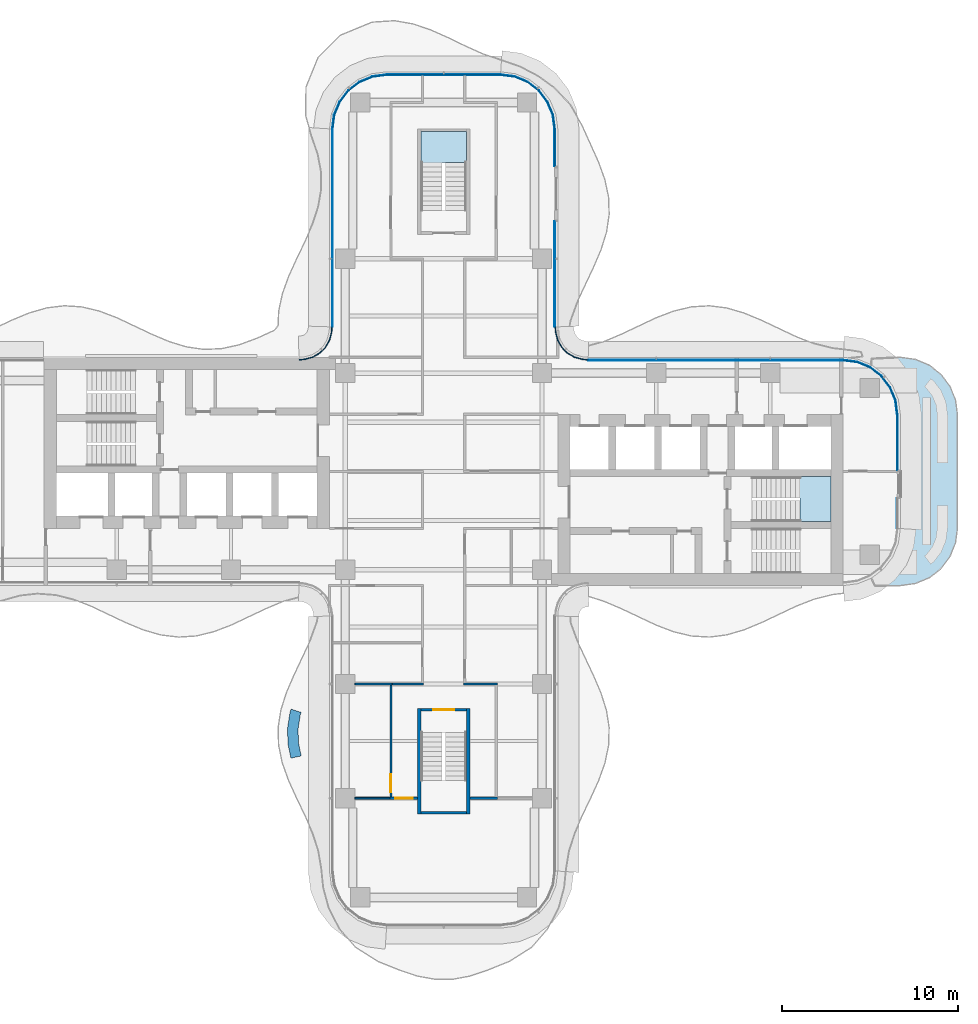
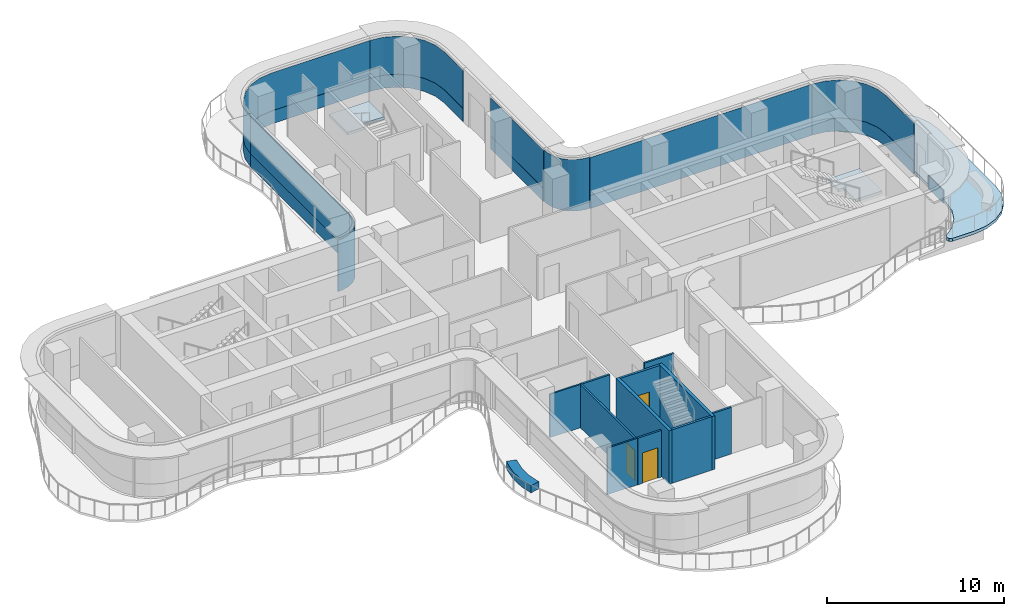
# One storey, part 11 of 17: 15 plates, 12 walls, 3 doors, 3 slabs, 3 openings, 11 elements without a shape of their own.
"""IFC4 building model written with IfcOpenShell, lengths in metres."""

from ifc_helpers import new_model, si_unit, direction, frame, frame_2d, origin, place, context, subcontext, project, spatial, polyline, rectangle, outline, extrude, source, transform, mapped, material, layer, layer_set, type_object, element, fill, aggregate, save


model = new_model("IFC4")

# Units and contexts
model_context = context("Model", 3, precision=1e-05, world=origin(), true_north=direction((0.0, 1.0)))
body_context = subcontext(model_context, "Body", "Model", "MODEL_VIEW")
ifc_project = project(units=[si_unit("LENGTHUNIT", "METRE"), si_unit("AREAUNIT", "SQUARE_METRE"), si_unit("VOLUMEUNIT", "CUBIC_METRE"), si_unit("PLANEANGLEUNIT", "RADIAN"), si_unit("MASSUNIT", "GRAM", prefix="KILO")], contexts=[model_context])

# Site, building, storey
site_placement = place(None, origin())
site = spatial("IfcSite", under=ifc_project, at=site_placement, CompositionType="ELEMENT")
building_placement = place(site_placement, origin())
building = spatial("IfcBuilding", under=site, at=building_placement, Name="Trellis Farm Tower", CompositionType="ELEMENT")
storey_placement = place(building_placement, frame((0.0, 0.0, 220.699951171875)))
storey = spatial("IfcBuildingStorey", under=building, at=storey_placement, Name="L48", CompositionType="ELEMENT", Elevation=220.699951171875)

# Curtain wall, plate
ifc_material_1 = material(Name="Aluminium and glass curtain wall", Category="aluminium")
ifc_layer_1 = layer(ifc_material_1, 0.18994140625)
ifc_layer_set_1 = layer_set([ifc_layer_1], Name="RIBBON CURTAIN WALL CW1")
curtain_wall_type_1 = type_object("IfcCurtainWallType", Name="RIBBON CURTAIN WALL CW1", PredefinedType="NOTDEFINED", material=ifc_layer_set_1)
placement_1 = place(storey_placement, origin())
curtain_wall_1 = element("IfcCurtainWall", 1, at=placement_1, inside=storey, type_object=curtain_wall_type_1, Name="CW1 007", PredefinedType="NOTDEFINED")
ifc_material_2 = material(Name="Clear insulated glass", Category="glass")
ifc_layer_2 = layer(ifc_material_2, 0.0400390625)
ifc_layer_set_2 = layer_set([ifc_layer_2], Name="CW1 GLASS PANEL 40")
plate_type_1 = type_object("IfcPlateType", Name="CW1 GLASS PANEL 40", PredefinedType="CURTAIN_PANEL", material=ifc_layer_set_2)
placement_2 = place(storey_placement, frame((0.0, 0.0, 0.900146484375)))
plate_1 = element("IfcPlate", 2, at=placement_2, type_object=plate_type_1, Name="PL1 007", PredefinedType="CURTAIN_PANEL", context=body_context, shape_type="SweptSolid", body=[
    extrude(outline(polyline([(25.85009765625, 0.080078125), (25.85009765625, 3.240234375), (25.7431640625, 4.052001953125), (25.43359375, 4.79931640625), (24.941162109375, 5.441162109375), (24.29931640625, 5.93359375), (23.552001953125, 6.2431640625), (22.740234375, 6.35009765625), (22.737548828125, 6.31005859375), (23.54150390625, 6.2041015625), (24.279296875, 5.898681640625), (24.91259765625, 5.41259765625), (25.398681640625, 4.779296875), (25.7041015625, 4.04150390625), (25.81005859375, 3.237548828125), (25.81005859375, 0.080078125), (25.85009765625, 0.080078125)])), origin(), (0.0, 0.0, 1.0), 2.619873046875),
])

curtain_wall_2 = element("IfcCurtainWall", 3, at=placement_1, inside=storey, type_object=curtain_wall_type_1, Name="CW1 006", PredefinedType="NOTDEFINED")
ifc_material_3 = material(Name="Sandstone faced insulated panel", Category="masonry")
ifc_layer_3 = layer(ifc_material_3, 0.050048828125)
ifc_layer_set_3 = layer_set([ifc_layer_3], Name="CW1 STONE SPANDREL PANEL 50")
plate_type_2 = type_object("IfcPlateType", Name="CW1 STONE SPANDREL PANEL 50", PredefinedType="CURTAIN_PANEL", material=ifc_layer_set_3)
plate_2 = element("IfcPlate", 4, at=placement_1, type_object=plate_type_2, Name="PS1 006", PredefinedType="CURTAIN_PANEL", context=body_context, shape_type="SweptSolid", body=[
    extrude(outline(polyline([(25.85009765625, -3.240234375), (25.85009765625, -1.5400390625), (25.800048828125, -1.5400390625), (25.800048828125, -3.23681640625), (25.85009765625, -3.240234375)])), origin(), (0.0, 0.0, 1.0), 0.900146484375),
])
aggregate(curtain_wall_2, [plate_2])

# Plate
plate_3 = element("IfcPlate", 5, at=placement_1, type_object=plate_type_2, Name="PS1 007", PredefinedType="CURTAIN_PANEL", context=body_context, shape_type="SweptSolid", body=[
    extrude(outline(polyline([(25.85009765625, 0.080078125), (25.85009765625, 3.240234375), (25.7431640625, 4.052001953125), (25.43359375, 4.79931640625), (24.941162109375, 5.441162109375), (24.29931640625, 5.93359375), (23.552001953125, 6.2431640625), (22.740234375, 6.35009765625), (22.73681640625, 6.300048828125), (23.5390625, 6.1943359375), (24.274169921875, 5.889892578125), (24.905517578125, 5.405517578125), (25.389892578125, 4.774169921875), (25.6943359375, 4.0390625), (25.800048828125, 3.23681640625), (25.800048828125, 0.080078125), (25.85009765625, 0.080078125)])), origin(), (0.0, 0.0, 1.0), 0.900146484375),
])

aggregate(curtain_wall_1, [plate_1, plate_3])

# Slab
ifc_material_4 = material(Name="Concrete C40/50", Category="concrete")
ifc_layer_4 = layer(ifc_material_4, 0.199951171875)
ifc_layer_set_4 = layer_set([ifc_layer_4], Name="Terrace slab on composite deck 200")
slab_type_1 = type_object("IfcSlabType", Name="Terrace slab on composite deck 200", PredefinedType="FLOOR", material=ifc_layer_set_4)
slab_1_placement = place(storey_placement, frame((0.0, 0.0, -0.199951171875)))
element("IfcSlab", 6, at=slab_1_placement, inside=storey, type_object=slab_type_1, Name="Terrace slab", PredefinedType="FLOOR", context=body_context, shape_type="SweptSolid", body=[
    extrude(outline(polyline([(24.294921875, -6.228271484375), (24.39111328125, -6.052978515625), (25.048583984375, -5.548583984375), (25.565185546875, -4.875244140625), (25.889892578125, -4.09130859375), (26.00048828125, -3.25), (26.00048828125, 3.25), (25.889892578125, 4.09130859375), (25.565185546875, 4.875244140625), (25.048583984375, 5.548583984375), (24.39111328125, 6.052978515625), (24.294921875, 6.228271484375), (24.359619140625, 6.4189453125), (24.5439453125, 6.5), (25.983642578125, 6.5), (26.01611328125, 6.497802734375), (26.80859375, 6.3935546875), (26.87158203125, 6.376708984375), (27.594482421875, 6.0771484375), (27.651123046875, 6.04443359375), (28.27197265625, 5.568115234375), (28.318115234375, 5.52197265625), (28.79443359375, 4.901123046875), (28.8271484375, 4.844482421875), (29.126708984375, 4.12158203125), (29.1435546875, 4.05859375), (29.247802734375, 3.26611328125), (29.25, 3.233642578125), (29.25, -3.233642578125), (29.247802734375, -3.26611328125), (29.1435546875, -4.05859375), (29.126708984375, -4.12158203125), (28.8271484375, -4.844482421875), (28.79443359375, -4.901123046875), (28.318115234375, -5.52197265625), (28.27197265625, -5.568115234375), (27.651123046875, -6.04443359375), (27.594482421875, -6.0771484375), (26.87158203125, -6.376708984375), (26.80859375, -6.3935546875), (26.01611328125, -6.497802734375), (25.983642578125, -6.5), (24.5439453125, -6.5), (24.359619140625, -6.4189453125), (24.294921875, -6.228271484375)])), origin(), (0.0, 0.0, 1.0), 0.199951171875),
])

# Stair, slab
ifc_material_5 = material(Name="Concrete C50/60", Category="concrete")
stair_type = type_object("IfcStairType", Name="CORE EXIT STAIR 22 RISERS 177 MM", PredefinedType="HALF_TURN_STAIR", material=ifc_material_5)
stair_1 = element("IfcStair", 7, at=placement_1, inside=storey, type_object=stair_type, Name="Exit stair N", PredefinedType="HALF_TURN_STAIR")
ifc_layer_5 = layer(ifc_material_5, 0.18994140625)
ifc_layer_set_5 = layer_set([ifc_layer_5], Name="CORE STAIR LANDING 190 CONCRETE C50/60")
slab_type_2 = type_object("IfcSlabType", Name="CORE STAIR LANDING 190 CONCRETE C50/60", PredefinedType="LANDING", material=ifc_layer_set_5)
shared_shape_1 = source(origin(), body_context, "Body", "SweptSolid", [
    extrude(outline(polyline([(-0.10009765625, 17.27197265625), (-1.300048828125, 17.27197265625), (-1.300048828125, 17.60009765625), (-1.300048828125, 19.35009765625), (1.300048828125, 19.35009765625), (1.300048828125, 17.60009765625), (1.300048828125, 17.590087890625), (0.10009765625, 17.590087890625), (0.10009765625, 17.60009765625), (-0.10009765625, 17.60009765625), (-0.10009765625, 17.27197265625)])), origin(), (0.0, 0.0, 1.0), 0.18994140625),
])
placement_3 = place(storey_placement, frame((0.0, 0.0, 1.760009765625)))
slab_2 = element("IfcSlab", 8, at=placement_3, type_object=slab_type_2, Name="STN landing 1", PredefinedType="LANDING", context=body_context, shape_type="MappedRepresentation", body=[
    mapped(shared_shape_1, transform((0.0, 0.0, 0.0))),
])
aggregate(stair_1, [slab_2])

stair_2 = element("IfcStair", 9, at=placement_1, inside=storey, type_object=stair_type, Name="Exit stair E2", PredefinedType="HALF_TURN_STAIR")
shared_shape_2 = source(origin(), body_context, "Body", "SweptSolid", [
    extrude(outline(polyline([(20.2900390625, -2.85009765625), (20.2900390625, -1.64990234375), (20.300048828125, -1.64990234375), (20.300048828125, -1.5), (19.971923828125, -1.5), (19.971923828125, -0.300048828125), (20.300048828125, -0.300048828125), (22.050048828125, -0.300048828125), (22.050048828125, -2.85009765625), (20.300048828125, -2.85009765625), (20.2900390625, -2.85009765625)])), origin(), (0.0, 0.0, 1.0), 0.18994140625),
])
slab_3 = element("IfcSlab", 10, at=placement_3, type_object=slab_type_2, Name="STE2 landing 1", PredefinedType="LANDING", context=body_context, shape_type="MappedRepresentation", body=[
    mapped(shared_shape_2, transform((0.0, 0.0, 0.0))),
])
aggregate(stair_2, [slab_3])

# Curtain wall, plate
ifc_layer_6 = layer(ifc_material_1, 0.166015625)
ifc_layer_set_6 = layer_set([ifc_layer_6], Name="WINTER GARDEN CURTAIN WALL CW3")
curtain_wall_type_2 = type_object("IfcCurtainWallType", Name="WINTER GARDEN CURTAIN WALL CW3", PredefinedType="NOTDEFINED", material=ifc_layer_set_6)
curtain_wall_3 = element("IfcCurtainWall", 11, at=placement_1, inside=storey, type_object=curtain_wall_type_2, Name="CW3 003", PredefinedType="NOTDEFINED")
ifc_layer_7 = layer(ifc_material_2, 0.0458984375)
ifc_layer_set_7 = layer_set([ifc_layer_7], Name="CW3 GLASS PANEL 46")
plate_type_3 = type_object("IfcPlateType", Name="CW3 GLASS PANEL 46", PredefinedType="CURTAIN_PANEL", material=ifc_layer_set_7)
shared_shape_3 = source(origin(), body_context, "Body", "SweptSolid", [
    extrude(outline(polyline([(8.2275390625, 6.3798828125), (8.0078125, 6.394287109375), (7.89208984375, 6.40966796875), (7.462158203125, 6.52490234375), (7.070556640625, 6.7509765625), (6.7509765625, 7.070556640625), (6.52490234375, 7.462158203125), (6.40966796875, 7.89208984375), (6.394287109375, 8.0078125), (6.3798828125, 8.2275390625), (6.333984375, 8.22607421875), (6.3486328125, 8.003173828125), (6.364501953125, 7.883056640625), (6.48193359375, 7.4443359375), (6.714111328125, 7.04248046875), (7.04248046875, 6.714111328125), (7.4443359375, 6.48193359375), (7.883056640625, 6.364501953125), (8.003173828125, 6.3486328125), (8.22607421875, 6.333984375), (8.2275390625, 6.3798828125)])), origin(), (0.0, 0.0, 1.0), 3.550048828125),
])
plate_4 = element("IfcPlate", 12, at=placement_1, type_object=plate_type_3, Name="PL3 003", PredefinedType="CURTAIN_PANEL", context=body_context, shape_type="MappedRepresentation", body=[
    mapped(shared_shape_3, transform((0.0, 0.0, 0.0))),
])
aggregate(curtain_wall_3, [plate_4])

curtain_wall_4 = element("IfcCurtainWall", 13, at=placement_1, inside=storey, type_object=curtain_wall_type_2, Name="CW3 004", PredefinedType="NOTDEFINED")
shared_shape_4 = source(origin(), body_context, "Body", "SweptSolid", [
    extrude(outline(polyline([(-6.3798828125, 8.2275390625), (-6.394287109375, 8.0078125), (-6.40966796875, 7.89208984375), (-6.52490234375, 7.462158203125), (-6.7509765625, 7.070556640625), (-7.070556640625, 6.7509765625), (-7.462158203125, 6.52490234375), (-7.89208984375, 6.40966796875), (-8.0078125, 6.394287109375), (-8.2275390625, 6.3798828125), (-8.22607421875, 6.333984375), (-8.003173828125, 6.3486328125), (-7.883056640625, 6.364501953125), (-7.4443359375, 6.48193359375), (-7.04248046875, 6.714111328125), (-6.714111328125, 7.04248046875), (-6.48193359375, 7.4443359375), (-6.364501953125, 7.883056640625), (-6.3486328125, 8.003173828125), (-6.333984375, 8.22607421875), (-6.3798828125, 8.2275390625)])), origin(), (0.0, 0.0, 1.0), 3.550048828125),
])
plate_5 = element("IfcPlate", 14, at=placement_1, type_object=plate_type_3, Name="PL3 004", PredefinedType="CURTAIN_PANEL", context=body_context, shape_type="MappedRepresentation", body=[
    mapped(shared_shape_4, transform((0.0, 0.0, 0.0))),
])
aggregate(curtain_wall_4, [plate_5])

# Curtain wall, plates
curtain_wall_5 = element("IfcCurtainWall", 15, at=placement_1, inside=storey, type_object=curtain_wall_type_1, Name="CW1 012", PredefinedType="NOTDEFINED")
shared_shape_5 = source(origin(), body_context, "Body", "SweptSolid", [
    extrude(outline(polyline([(-6.35009765625, 19.490234375), (-6.35009765625, 8.2265625), (-6.31005859375, 8.22509765625), (-6.31005859375, 19.487548828125), (-6.35009765625, 19.490234375)])), origin(), (0.0, 0.0, 1.0), 2.619873046875),
])
plate_6 = element("IfcPlate", 16, at=placement_2, type_object=plate_type_1, Name="PL1 012", PredefinedType="CURTAIN_PANEL", context=body_context, shape_type="MappedRepresentation", body=[
    mapped(shared_shape_5, transform((0.0, 0.0, 0.0))),
])
shared_shape_6 = source(origin(), body_context, "Body", "SweptSolid", [
    extrude(outline(polyline([(-6.35009765625, 19.490234375), (-6.35009765625, 8.2265625), (-6.300048828125, 8.224853515625), (-6.300048828125, 19.48681640625), (-6.35009765625, 19.490234375)])), origin(), (0.0, 0.0, 1.0), 0.900146484375),
])
plate_7 = element("IfcPlate", 17, at=placement_1, type_object=plate_type_2, Name="PS1 012", PredefinedType="CURTAIN_PANEL", context=body_context, shape_type="MappedRepresentation", body=[
    mapped(shared_shape_6, transform((0.0, 0.0, 0.0))),
])
aggregate(curtain_wall_5, [plate_6, plate_7])

curtain_wall_6 = element("IfcCurtainWall", 18, at=placement_1, inside=storey, type_object=curtain_wall_type_1, Name="CW1 011", PredefinedType="NOTDEFINED")
shared_shape_7 = source(origin(), body_context, "Body", "SweptSolid", [
    extrude(outline(polyline([(3.240234375, 22.60009765625), (-3.240234375, 22.60009765625), (-4.052001953125, 22.4931640625), (-4.79931640625, 22.18359375), (-5.441162109375, 21.691162109375), (-5.93359375, 21.04931640625), (-6.2431640625, 20.302001953125), (-6.35009765625, 19.490234375), (-6.31005859375, 19.487548828125), (-6.2041015625, 20.29150390625), (-5.898681640625, 21.029296875), (-5.41259765625, 21.66259765625), (-4.779296875, 22.148681640625), (-4.04150390625, 22.4541015625), (-3.237548828125, 22.56005859375), (3.237548828125, 22.56005859375), (3.240234375, 22.60009765625)])), origin(), (0.0, 0.0, 1.0), 2.619873046875),
])
plate_8 = element("IfcPlate", 19, at=placement_2, type_object=plate_type_1, Name="PL1 011", PredefinedType="CURTAIN_PANEL", context=body_context, shape_type="MappedRepresentation", body=[
    mapped(shared_shape_7, transform((0.0, 0.0, 0.0))),
])
shared_shape_8 = source(origin(), body_context, "Body", "SweptSolid", [
    extrude(outline(polyline([(3.240234375, 22.60009765625), (-3.240234375, 22.60009765625), (-4.052001953125, 22.4931640625), (-4.79931640625, 22.18359375), (-5.441162109375, 21.691162109375), (-5.93359375, 21.04931640625), (-6.2431640625, 20.302001953125), (-6.35009765625, 19.490234375), (-6.300048828125, 19.48681640625), (-6.1943359375, 20.2890625), (-5.889892578125, 21.024169921875), (-5.405517578125, 21.655517578125), (-4.774169921875, 22.139892578125), (-4.0390625, 22.4443359375), (-3.23681640625, 22.550048828125), (3.23681640625, 22.550048828125), (3.240234375, 22.60009765625)])), origin(), (0.0, 0.0, 1.0), 0.900146484375),
])
plate_9 = element("IfcPlate", 20, at=placement_1, type_object=plate_type_2, Name="PS1 011", PredefinedType="CURTAIN_PANEL", context=body_context, shape_type="MappedRepresentation", body=[
    mapped(shared_shape_8, transform((0.0, 0.0, 0.0))),
])
aggregate(curtain_wall_6, [plate_8, plate_9])

curtain_wall_7 = element("IfcCurtainWall", 21, at=placement_1, inside=storey, type_object=curtain_wall_type_1, Name="CW1 008", PredefinedType="NOTDEFINED")
shared_shape_9 = source(origin(), body_context, "Body", "SweptSolid", [
    extrude(outline(polyline([(22.740234375, 6.35009765625), (8.2265625, 6.35009765625), (8.22509765625, 6.31005859375), (22.737548828125, 6.31005859375), (22.740234375, 6.35009765625)])), origin(), (0.0, 0.0, 1.0), 2.619873046875),
])
plate_10 = element("IfcPlate", 22, at=placement_2, type_object=plate_type_1, Name="PL1 008", PredefinedType="CURTAIN_PANEL", context=body_context, shape_type="MappedRepresentation", body=[
    mapped(shared_shape_9, transform((0.0, 0.0, 0.0))),
])
shared_shape_10 = source(origin(), body_context, "Body", "SweptSolid", [
    extrude(outline(polyline([(22.740234375, 6.35009765625), (8.2265625, 6.35009765625), (8.224853515625, 6.300048828125), (22.73681640625, 6.300048828125), (22.740234375, 6.35009765625)])), origin(), (0.0, 0.0, 1.0), 0.900146484375),
])
plate_11 = element("IfcPlate", 23, at=placement_1, type_object=plate_type_2, Name="PS1 008", PredefinedType="CURTAIN_PANEL", context=body_context, shape_type="MappedRepresentation", body=[
    mapped(shared_shape_10, transform((0.0, 0.0, 0.0))),
])
aggregate(curtain_wall_7, [plate_10, plate_11])

curtain_wall_8 = element("IfcCurtainWall", 24, at=placement_1, inside=storey, type_object=curtain_wall_type_1, Name="CW1 009", PredefinedType="NOTDEFINED")
shared_shape_11 = source(origin(), body_context, "Body", "SweptSolid", [
    extrude(outline(polyline([(6.35009765625, 8.2265625), (6.35009765625, 14.239990234375), (6.31005859375, 14.239990234375), (6.31005859375, 8.22509765625), (6.35009765625, 8.2265625)])), origin(), (0.0, 0.0, 1.0), 2.619873046875),
])
plate_12 = element("IfcPlate", 25, at=placement_2, type_object=plate_type_1, Name="PL1 009", PredefinedType="CURTAIN_PANEL", context=body_context, shape_type="MappedRepresentation", body=[
    mapped(shared_shape_11, transform((0.0, 0.0, 0.0))),
])
shared_shape_12 = source(origin(), body_context, "Body", "SweptSolid", [
    extrude(outline(polyline([(6.35009765625, 8.2265625), (6.35009765625, 14.239990234375), (6.300048828125, 14.239990234375), (6.300048828125, 8.224853515625), (6.35009765625, 8.2265625)])), origin(), (0.0, 0.0, 1.0), 0.900146484375),
])
plate_13 = element("IfcPlate", 26, at=placement_1, type_object=plate_type_2, Name="PS1 009", PredefinedType="CURTAIN_PANEL", context=body_context, shape_type="MappedRepresentation", body=[
    mapped(shared_shape_12, transform((0.0, 0.0, 0.0))),
])
aggregate(curtain_wall_8, [plate_12, plate_13])

curtain_wall_9 = element("IfcCurtainWall", 27, at=placement_1, inside=storey, type_object=curtain_wall_type_1, Name="CW1 010", PredefinedType="NOTDEFINED")
shared_shape_13 = source(origin(), body_context, "Body", "SweptSolid", [
    extrude(outline(polyline([(6.35009765625, 17.360107421875), (6.35009765625, 19.490234375), (6.2431640625, 20.302001953125), (5.93359375, 21.04931640625), (5.441162109375, 21.691162109375), (4.79931640625, 22.18359375), (4.052001953125, 22.4931640625), (3.240234375, 22.60009765625), (3.237548828125, 22.56005859375), (4.04150390625, 22.4541015625), (4.779296875, 22.148681640625), (5.41259765625, 21.66259765625), (5.898681640625, 21.029296875), (6.2041015625, 20.29150390625), (6.31005859375, 19.487548828125), (6.31005859375, 17.360107421875), (6.35009765625, 17.360107421875)])), origin(), (0.0, 0.0, 1.0), 2.619873046875),
])
plate_14 = element("IfcPlate", 28, at=placement_2, type_object=plate_type_1, Name="PL1 010", PredefinedType="CURTAIN_PANEL", context=body_context, shape_type="MappedRepresentation", body=[
    mapped(shared_shape_13, transform((0.0, 0.0, 0.0))),
])
shared_shape_14 = source(origin(), body_context, "Body", "SweptSolid", [
    extrude(outline(polyline([(6.35009765625, 17.360107421875), (6.35009765625, 19.490234375), (6.2431640625, 20.302001953125), (5.93359375, 21.04931640625), (5.441162109375, 21.691162109375), (4.79931640625, 22.18359375), (4.052001953125, 22.4931640625), (3.240234375, 22.60009765625), (3.23681640625, 22.550048828125), (4.0390625, 22.4443359375), (4.774169921875, 22.139892578125), (5.405517578125, 21.655517578125), (5.889892578125, 21.024169921875), (6.1943359375, 20.2890625), (6.300048828125, 19.48681640625), (6.300048828125, 17.360107421875), (6.35009765625, 17.360107421875)])), origin(), (0.0, 0.0, 1.0), 0.900146484375),
])
plate_15 = element("IfcPlate", 29, at=placement_1, type_object=plate_type_2, Name="PS1 010", PredefinedType="CURTAIN_PANEL", context=body_context, shape_type="MappedRepresentation", body=[
    mapped(shared_shape_14, transform((0.0, 0.0, 0.0))),
])
aggregate(curtain_wall_9, [plate_14, plate_15])

# Walls
ifc_material_6 = material(Name="Sandstone faced masonry planter", Category="masonry")
ifc_layer_8 = layer(ifc_material_6, 0.60009765625)
ifc_layer_set_8 = layer_set([ifc_layer_8], Name="PLANTER BED 600")
wall_type_1 = type_object("IfcWallType", Name="PLANTER BED 600", PredefinedType="USERDEFINED", material=ifc_layer_set_8)
element("IfcWall", 30, at=placement_1, inside=storey, type_object=wall_type_1, Name="PLANTER bed", ObjectType="PLANTER", PredefinedType="USERDEFINED", context=body_context, shape_type="SweptSolid", body=[
    extrude(outline(polyline([(-8.885986328125, -14.6240234375), (-8.744873046875, -13.71923828125), (-8.68603515625, -13.533447265625), (-8.114013671875, -13.714599609375), (-8.1591796875, -13.85693359375), (-8.28466796875, -14.662109375), (-8.26220703125, -15.453857421875), (-8.106201171875, -16.19970703125), (-8.693603515625, -16.322265625), (-8.8603515625, -15.524169921875), (-8.885986328125, -14.6240234375)])), origin(), (0.0, 0.0, 1.0), 0.5),
])
ifc_material_7 = material(Name="Concrete C60/75", Category="concrete")
ifc_layer_9 = layer(ifc_material_7, 0.199951171875)
ifc_layer_set_9 = layer_set([ifc_layer_9], Name="CORE STAIR ENCLOSURE WALL 200 CONCRETE C60/75")
wall_type_2 = type_object("IfcWallType", Name="CORE STAIR ENCLOSURE WALL 200 CONCRETE C60/75", PredefinedType="SHEAR", material=ifc_layer_set_9)
shared_shape_15 = source(origin(), body_context, "Body", "SweptSolid", [
    extrude(rectangle(XDim=6.0, YDim=0.199951171875, at=frame_2d((3.0, 0.0))), origin(), (0.0, 0.0, 1.0), 3.699951171875),
])
for number, where, z_axis, x_axis, name in (
    (31, (1.39990234375, -13.5, 0.0), (0.0, 0.0, 1.0), (0.0, -1.0, 0.0), "Stair enclosure wall"),
    (32, (-1.39990234375, -13.5, 0.0), (0.0, 0.0, 1.0), (0.0, -1.0, 0.0), "Stair enclosure wall"),
):
    element("IfcWall", number, at=place(storey_placement, frame(where, z_axis=z_axis, x_axis=x_axis)), inside=storey, type_object=wall_type_2, Name=name, PredefinedType="SHEAR", context=body_context, shape_type="MappedRepresentation", body=[
        mapped(shared_shape_15, transform((0.0, 0.0, 0.0))),
    ])

# Wall, opening, door
ifc_layer_10 = layer(ifc_material_7, 0.14990234375)
ifc_layer_set_10 = layer_set([ifc_layer_10], Name="CORE STAIR ENCLOSURE WALL 150 CONCRETE C60/75")
wall_type_3 = type_object("IfcWallType", Name="CORE STAIR ENCLOSURE WALL 150 CONCRETE C60/75", PredefinedType="SHEAR", material=ifc_layer_set_10)
shared_shape_16 = source(origin(), body_context, "Body", "SweptSolid", [
    extrude(rectangle(XDim=2.60009765625, YDim=0.14990234375, at=frame_2d((1.300048828125, 0.0))), origin(), (0.0, 0.0, 1.0), 3.699951171875),
])
wall_2_placement = place(storey_placement, frame((1.300048828125, -13.574951171875, 0.0), z_axis=(0.0, 0.0, 1.0), x_axis=(-1.0, 0.0, 0.0)))
wall_2 = element("IfcWall", 33, at=wall_2_placement, inside=storey, type_object=wall_type_3, Name="Stair enclosure wall", PredefinedType="SHEAR", context=body_context, shape_type="MappedRepresentation", body=[
    mapped(shared_shape_16, transform((0.0, 0.0, 0.0))),
])
shared_shape_17 = source(origin(), body_context, "Body", "SweptSolid", [
    extrude(rectangle(XDim=1.199951171875, YDim=2.10009765625, at=frame_2d((0.60009765625, 1.050048828125))), frame((0.0, 0.0849609375, 0.0), z_axis=(0.0, -1.0, 0.0), x_axis=(1.0, 0.0, 0.0)), (0.0, 0.0, 1.0), 0.169921875),
])
opening_1_placement = place(wall_2_placement, frame((0.699951171875, 0.0, 0.0)))
opening_1 = element("IfcOpeningElement", 34, at=opening_1_placement, cuts=wall_2, Name="Opening DC174", PredefinedType="OPENING", context=body_context, shape_type="MappedRepresentation", body=[
    mapped(shared_shape_17, transform((0.0, 0.0, 0.0))),
])
ifc_material_8 = material(Name="Steel", Category="steel")
door_type_1 = type_object("IfcDoorType", Name="CORE FIRE DOOR 1200 X 2100", OperationType="NOTDEFINED", PredefinedType="DOOR", material=ifc_material_8)
shared_shape_18 = source(origin(), body_context, "Body", "SweptSolid", [
    extrude(rectangle(XDim=1.199951171875, YDim=2.10009765625, at=frame_2d((0.60009765625, 1.050048828125))), frame((0.0, 0.02490234375, 0.0), z_axis=(0.0, -1.0, 0.0), x_axis=(1.0, 0.0, 0.0)), (0.0, 0.0, 1.0), 0.050048828125),
])
door_1_placement = place(opening_1_placement, origin())
door_1 = element("IfcDoor", 35, at=door_1_placement, inside=storey, type_object=door_type_1, Name="Core door", OperationType="SINGLE_SWING_RIGHT", OverallHeight=2.10009765625, OverallWidth=1.199951171875, PredefinedType="DOOR", context=body_context, shape_type="MappedRepresentation", body=[
    mapped(shared_shape_18, transform((0.0, 0.0, 0.0))),
])
fill(opening_1, door_1)

# Wall
wall_3_placement = place(storey_placement, frame((1.300048828125, -19.425048828125, 0.0), z_axis=(0.0, 0.0, 1.0), x_axis=(-1.0, 0.0, 0.0)))
element("IfcWall", 36, at=wall_3_placement, inside=storey, type_object=wall_type_3, Name="Stair enclosure wall", PredefinedType="SHEAR", context=body_context, shape_type="MappedRepresentation", body=[
    mapped(shared_shape_16, transform((0.0, 0.0, 0.0))),
])

# Wall, opening, door
ifc_material_9 = material(Name="Plasterboard on steel studs, mineral wool", Category="steel")
ifc_layer_11 = layer(ifc_material_9, 0.125)
ifc_layer_set_11 = layer_set([ifc_layer_11], Name="PARTITION 125 STUD EI 60")
wall_type_4 = type_object("IfcWallType", Name="PARTITION 125 STUD EI 60", PredefinedType="PARTITIONING", material=ifc_layer_set_11)
shared_shape_19 = source(origin(), body_context, "Body", "SweptSolid", [
    extrude(rectangle(XDim=6.400146484375, YDim=0.125, at=frame_2d((3.2001953125, 0.0))), origin(), (0.0, 0.0, 1.0), 2.99658203125),
])
wall_4_placement = place(storey_placement, frame((-3.0, -18.550048828125, 0.0), z_axis=(0.0, 0.0, 1.0), x_axis=(0.0, 1.0, 0.0)))
wall_4 = element("IfcWall", 37, at=wall_4_placement, inside=storey, type_object=wall_type_4, Name="Partition PW1", PredefinedType="PARTITIONING", context=body_context, shape_type="MappedRepresentation", body=[
    mapped(shared_shape_19, transform((0.0, 0.0, 0.0))),
])
shared_shape_20 = source(origin(), body_context, "Body", "SweptSolid", [
    extrude(rectangle(XDim=1.0, YDim=2.10009765625, at=frame_2d((0.5, 1.050048828125))), frame((0.0, 0.072509765625, 0.0), z_axis=(0.0, -1.0, 0.0), x_axis=(1.0, 0.0, 0.0)), (0.0, 0.0, 1.0), 0.14501953125),
])
opening_2_placement = place(wall_4_placement, frame((0.300048828125, 0.0, 0.0)))
opening_2 = element("IfcOpeningElement", 38, at=opening_2_placement, cuts=wall_4, Name="Opening D102", PredefinedType="OPENING", context=body_context, shape_type="MappedRepresentation", body=[
    mapped(shared_shape_20, transform((0.0, 0.0, 0.0))),
])
ifc_material_10 = material(Name="Fire-rated timber door leaf in a hollow metal frame", Category="wood")
door_type_2 = type_object("IfcDoorType", Name="DOOR 1000x2100 FD30S", OperationType="NOTDEFINED", PredefinedType="DOOR", material=ifc_material_10)
shared_shape_21 = source(origin(), body_context, "Body", "SweptSolid", [
    extrude(rectangle(XDim=1.0, YDim=2.10009765625, at=frame_2d((0.5, 1.050048828125))), frame((0.0, 0.02490234375, 0.0), z_axis=(0.0, -1.0, 0.0), x_axis=(1.0, 0.0, 0.0)), (0.0, 0.0, 1.0), 0.050048828125),
])
door_2_placement = place(opening_2_placement, origin())
door_2 = element("IfcDoor", 39, at=door_2_placement, inside=storey, type_object=door_type_2, Name="Door D102", OperationType="SINGLE_SWING_LEFT", OverallHeight=2.10009765625, OverallWidth=1.0, PredefinedType="DOOR", context=body_context, shape_type="MappedRepresentation", body=[
    mapped(shared_shape_21, transform((0.0, 0.0, 0.0))),
])
fill(opening_2, door_2)

shared_shape_22 = source(origin(), body_context, "Body", "SweptSolid", [
    extrude(rectangle(XDim=1.5625, YDim=0.125, at=frame_2d((0.78125, 0.0))), origin(), (0.0, 0.0, 1.0), 3.22314453125),
])
wall_5_placement = place(storey_placement, frame((-1.5, -18.60009765625, 0.0), z_axis=(0.0, 0.0, 1.0), x_axis=(-1.0, 0.0, 0.0)))
wall_5 = element("IfcWall", 40, at=wall_5_placement, inside=storey, type_object=wall_type_4, Name="Partition PW1", PredefinedType="PARTITIONING", context=body_context, shape_type="MappedRepresentation", body=[
    mapped(shared_shape_22, transform((0.0, 0.0, 0.0))),
])
opening_3_placement = place(wall_5_placement, frame((0.25, 0.0, 0.0)))
opening_3 = element("IfcOpeningElement", 41, at=opening_3_placement, cuts=wall_5, Name="Opening D101", PredefinedType="OPENING", context=body_context, shape_type="MappedRepresentation", body=[
    mapped(shared_shape_20, transform((0.0, 0.0, 0.0))),
])
door_3_placement = place(opening_3_placement, origin())
door_3 = element("IfcDoor", 42, at=door_3_placement, inside=storey, type_object=door_type_2, Name="Door D101", OperationType="SINGLE_SWING_LEFT", OverallHeight=2.10009765625, OverallWidth=1.0, PredefinedType="DOOR", context=body_context, shape_type="MappedRepresentation", body=[
    mapped(shared_shape_21, transform((0.0, 0.0, 0.0))),
])
fill(opening_3, door_3)

# Walls
wall_6_placement = place(storey_placement, frame((3.0625, -18.60009765625, 0.0), z_axis=(0.0, 0.0, 1.0), x_axis=(-1.0, 0.0, 0.0)))
element("IfcWall", 43, at=wall_6_placement, inside=storey, type_object=wall_type_4, Name="Partition PW1", PredefinedType="PARTITIONING", context=body_context, shape_type="MappedRepresentation", body=[
    mapped(shared_shape_22, transform((0.0, 0.0, 0.0))),
])
shared_shape_23 = source(origin(), body_context, "Body", "SweptSolid", [
    extrude(rectangle(XDim=1.925048828125, YDim=0.125, at=frame_2d((0.96240234375, 0.0))), origin(), (0.0, 0.0, 1.0), 2.99658203125),
])
for number, where, z_axis, x_axis, name in (
    (44, (-3.0625, -12.10009765625, 0.0), (0.0, 0.0, 1.0), (1.0, 0.0, 0.0), "Partition PW1"),
    (45, (1.137451171875, -12.10009765625, 0.0), (0.0, 0.0, 1.0), (1.0, 0.0, 0.0), "Partition PW1"),
):
    element("IfcWall", number, at=place(storey_placement, frame(where, z_axis=z_axis, x_axis=x_axis)), inside=storey, type_object=wall_type_4, Name=name, PredefinedType="PARTITIONING", context=body_context, shape_type="MappedRepresentation", body=[
        mapped(shared_shape_23, transform((0.0, 0.0, 0.0))),
    ])
ifc_material_11 = material(Name="Plasterboard on steel studs", Category="steel")
ifc_layer_12 = layer(ifc_material_11, 0.10009765625)
ifc_layer_set_12 = layer_set([ifc_layer_12], Name="PARTITION 100 STUD EI 30")
wall_type_5 = type_object("IfcWallType", Name="PARTITION 100 STUD EI 30", PredefinedType="PARTITIONING", material=ifc_layer_set_12)
shared_shape_24 = source(origin(), body_context, "Body", "SweptSolid", [
    extrude(rectangle(XDim=2.112548828125, YDim=0.10009765625, at=frame_2d((1.05615234375, 0.0))), origin(), (0.0, 0.0, 1.0), 3.22314453125),
])
wall_7_placement = place(storey_placement, frame((-5.050048828125, -18.60009765625, 0.0), z_axis=(0.0, 0.0, 1.0), x_axis=(1.0, 0.0, 0.0)))
element("IfcWall", 46, at=wall_7_placement, inside=storey, type_object=wall_type_5, Name="Partition PW2", PredefinedType="PARTITIONING", context=body_context, shape_type="MappedRepresentation", body=[
    mapped(shared_shape_24, transform((0.0, 0.0, 0.0))),
])
shared_shape_25 = source(origin(), body_context, "Body", "SweptSolid", [
    extrude(rectangle(XDim=2.112548828125, YDim=0.10009765625, at=frame_2d((1.05615234375, 0.0))), origin(), (0.0, 0.0, 1.0), 2.99658203125),
])
wall_8_placement = place(storey_placement, frame((-5.050048828125, -12.10009765625, 0.0), z_axis=(0.0, 0.0, 1.0), x_axis=(1.0, 0.0, 0.0)))
element("IfcWall", 47, at=wall_8_placement, inside=storey, type_object=wall_type_5, Name="Partition PW2", PredefinedType="PARTITIONING", context=body_context, shape_type="MappedRepresentation", body=[
    mapped(shared_shape_25, transform((0.0, 0.0, 0.0))),
])

save(model, "model.ifc")
